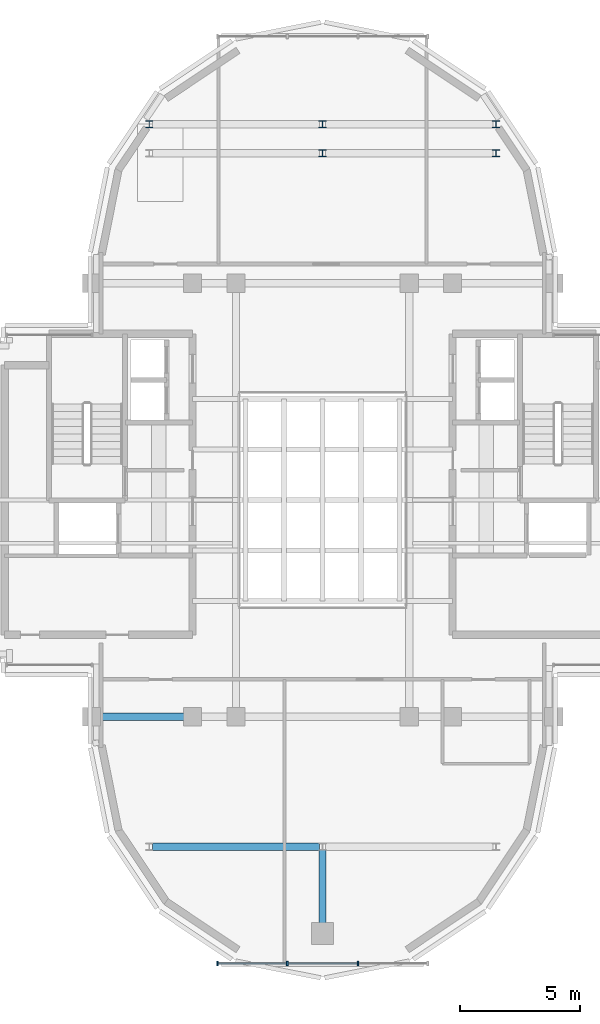
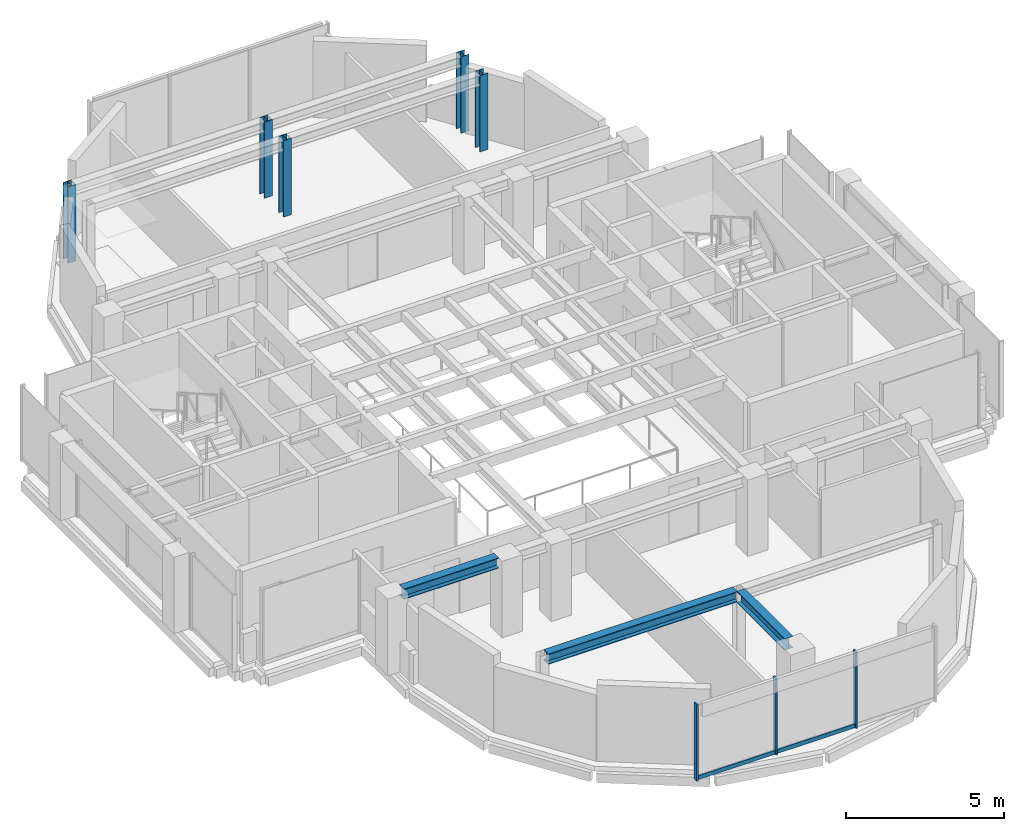
# One storey, part 2 of 11: 5 columns, 5 members, 3 beams, 1 element without a shape of its own.
"""IFC4 building model written with IfcOpenShell, lengths in metres."""

from ifc_helpers import new_model, si_unit, direction, frame, origin, origin_2d, place, context, subcontext, project, spatial, rectangle, i_section, extrude, source, transform, mapped, material, material_profile, profile_set, type_object, element, aggregate, save


model = new_model("IFC4")

# Units and contexts
model_context = context("Model", 3, precision=1e-05, world=origin(), true_north=direction((0.0, 1.0)))
body_context = subcontext(model_context, "Body", "Model", "MODEL_VIEW")
ifc_project = project(units=[si_unit("LENGTHUNIT", "METRE"), si_unit("AREAUNIT", "SQUARE_METRE"), si_unit("VOLUMEUNIT", "CUBIC_METRE"), si_unit("PLANEANGLEUNIT", "RADIAN"), si_unit("MASSUNIT", "GRAM", prefix="KILO")], contexts=[model_context])

# Site, building, storey
site_placement = place(None, origin())
site = spatial("IfcSite", under=ifc_project, at=site_placement, CompositionType="ELEMENT")
building_placement = place(site_placement, origin())
building = spatial("IfcBuilding", under=site, at=building_placement, Name="Keilestroom Media Tower", CompositionType="ELEMENT")
storey_placement = place(building_placement, frame((0.0, 0.0, 268.39990234375)))
storey = spatial("IfcBuildingStorey", under=building, at=storey_placement, Name="L75", CompositionType="ELEMENT", Elevation=268.39990234375)

# Columns
ifc_material_1 = material(Name="Steel S355", Category="steel")
ifc_material_profile_1 = material_profile(ifc_material_1, i_section(OverallWidth=0.300048828125, OverallDepth=0.300048828125, WebThickness=0.010986328125, FlangeThickness=0.01904296875, at=origin_2d()), Name="HEB 300")
ifc_profile_set_1 = profile_set([ifc_material_profile_1], Name="Steel S355")
column_type = type_object("IfcColumnType", Name="Structural-Column-HEB-300", PredefinedType="COLUMN", material=ifc_profile_set_1)
shared_shape_1 = source(origin(), body_context, "Body", "SweptSolid", [
    extrude(i_section(OverallWidth=0.300048828125, OverallDepth=0.300048828125, WebThickness=0.010986328125, FlangeThickness=0.01904296875, at=origin_2d()), origin(), (0.0, 0.0, 1.0), 2.960205078125),
])
for number, where, z_axis, x_axis, name in (
    (1, (-7.199951171875, 15.60009765625, 0.0), (0.0, 0.0, 1.0), (1.0, 0.0, 0.0), "L75 Column SC-5 (-7.2,+15.6)"),
    (2, (0.0, 14.39990234375, 0.0), (0.0, 0.0, 1.0), (1.0, 0.0, 0.0), "L75 Column SC-5 (+0.0,+14.4)"),
    (3, (0.0, 15.60009765625, 0.0), (0.0, 0.0, 1.0), (1.0, 0.0, 0.0), "L75 Column SC-5 (+0.0,+15.6)"),
    (4, (7.199951171875, 14.39990234375, 0.0), (0.0, 0.0, 1.0), (1.0, 0.0, 0.0), "L75 Column SC-5 (+7.2,+14.4)"),
    (5, (7.199951171875, 15.60009765625, 0.0), (0.0, 0.0, 1.0), (1.0, 0.0, 0.0), "L75 Column SC-5 (+7.2,+15.6)"),
):
    element("IfcColumn", number, at=place(storey_placement, frame(where, z_axis=z_axis, x_axis=x_axis)), inside=storey, type_object=column_type, Name=name, PredefinedType="COLUMN", context=body_context, shape_type="MappedRepresentation", body=[
        mapped(shared_shape_1, transform((0.0, 0.0, 0.0), x_axis=(1.0, 0.0, 0.0), y_axis=(0.0, 1.0, 0.0), z_axis=(0.0, 0.0, 1.0), scale=1.0)),
    ])

# Beams
ifc_material_profile_2 = material_profile(ifc_material_1, i_section(OverallWidth=0.300048828125, OverallDepth=0.39990234375, WebThickness=0.011474609375, FlangeThickness=0.02392578125, at=origin_2d()), Name="HEB 400")
ifc_profile_set_2 = profile_set([ifc_material_profile_2], Name="Steel S355")
beam_type_1 = type_object("IfcBeamType", Name="Primary-Structural-Girder-HEB-400", PredefinedType="BEAM", material=ifc_profile_set_2)
shared_shape_2 = source(origin(), body_context, "Body", "SweptSolid", [
    extrude(i_section(OverallWidth=0.300048828125, OverallDepth=0.39990234375, WebThickness=0.011474609375, FlangeThickness=0.02392578125, at=origin_2d()), origin(), (0.0, 0.0, 1.0), 6.940185546875),
])
beam_1_placement = place(storey_placement, frame((-7.070068359375, -14.39990234375, 2.760009765625), z_axis=(1.0, 0.0, 0.0), x_axis=(0.0, 1.0, 0.0)))
element("IfcBeam", 6, at=beam_1_placement, inside=storey, type_object=beam_type_1, Name="L75 Beam BG-8 BM-L75-EW-001", PredefinedType="BEAM", context=body_context, shape_type="MappedRepresentation", body=[
    mapped(shared_shape_2, transform((0.0, 0.0, 0.0), x_axis=(1.0, 0.0, 0.0), y_axis=(0.0, 1.0, 0.0), z_axis=(0.0, 0.0, 1.0), scale=1.0)),
])
shared_shape_3 = source(origin(), body_context, "Body", "SweptSolid", [
    extrude(i_section(OverallWidth=0.300048828125, OverallDepth=0.39990234375, WebThickness=0.011474609375, FlangeThickness=0.02392578125, at=origin_2d()), origin(), (0.0, 0.0, 1.0), 3.490234375),
])
beam_2_placement = place(storey_placement, frame((-9.2451171875, -9.0, 2.760009765625), z_axis=(1.0, 0.0, 0.0), x_axis=(0.0, 1.0, 0.0)))
element("IfcBeam", 7, at=beam_2_placement, inside=storey, type_object=beam_type_1, Name="L75 Beam BG-8 BM-L75-EW-003", PredefinedType="BEAM", context=body_context, shape_type="MappedRepresentation", body=[
    mapped(shared_shape_3, transform((0.0, 0.0, 0.0), x_axis=(1.0, 0.0, 0.0), y_axis=(0.0, 1.0, 0.0), z_axis=(0.0, 0.0, 1.0), scale=1.0)),
])
ifc_material_profile_3 = material_profile(ifc_material_1, i_section(OverallWidth=0.300048828125, OverallDepth=0.43994140625, WebThickness=0.011474609375, FlangeThickness=0.02099609375, at=origin_2d()), Name="HEA 450")
ifc_profile_set_3 = profile_set([ifc_material_profile_3], Name="Steel S355")
beam_type_2 = type_object("IfcBeamType", Name="Primary-Structural-Girder-HEA-450", PredefinedType="BEAM", material=ifc_profile_set_3)
shared_shape_4 = source(origin(), body_context, "Body", "SweptSolid", [
    extrude(i_section(OverallWidth=0.300048828125, OverallDepth=0.43994140625, WebThickness=0.011474609375, FlangeThickness=0.02099609375, at=origin_2d()), origin(), (0.0, 0.0, 1.0), 3.0400390625),
])
beam_3_placement = place(storey_placement, frame((0.0, -17.570068359375, 2.739990234375), z_axis=(0.0, 1.0, 0.0), x_axis=(-1.0, 0.0, 0.0)))
element("IfcBeam", 8, at=beam_3_placement, inside=storey, type_object=beam_type_2, Name="L75 Beam BG-11 BM-L75-NS-022", PredefinedType="BEAM", context=body_context, shape_type="MappedRepresentation", body=[
    mapped(shared_shape_4, transform((0.0, 0.0, 0.0), x_axis=(1.0, 0.0, 0.0), y_axis=(0.0, 1.0, 0.0), z_axis=(0.0, 0.0, 1.0), scale=1.0)),
])

# Curtain wall, members
ifc_material_2 = material(Name="Anodised Aluminium Alloy", Category="aluminium")
curtain_wall_type = type_object("IfcCurtainWallType", Name="Unitised-Curtain-Wall-CW-6", PredefinedType="NOTDEFINED", material=ifc_material_2)
curtain_wall_placement = place(storey_placement, origin())
curtain_wall = element("IfcCurtainWall", 9, at=curtain_wall_placement, inside=storey, type_object=curtain_wall_type, Name="L75 Curtain Wall CW-6 CW-L75-LS-1", PredefinedType="NOTDEFINED")
ifc_material_profile_4 = material_profile(ifc_material_2, rectangle(XDim=0.06494140625, YDim=0.14990234375, at=origin_2d()), Name="ALU TRANSOM 65x150")
ifc_profile_set_4 = profile_set([ifc_material_profile_4], Name="Anodised Aluminium Alloy")
member_type_1 = type_object("IfcMemberType", Name="Curtain-Wall-Transom-CW-6", PredefinedType="USERDEFINED", material=ifc_profile_set_4)
shared_shape_5 = source(origin(), body_context, "Body", "SweptSolid", [
    extrude(rectangle(XDim=0.06494140625, YDim=0.14990234375, at=origin_2d()), origin(), (0.0, 0.0, 1.0), 2.839599609375),
])
member_1_placement = place(storey_placement, frame((-4.3369140625, -19.25, 0.0751953125), z_axis=(1.0, 0.0, 0.0), x_axis=(0.0, 1.0, 0.0)))
member_1 = element("IfcMember", 10, at=member_1_placement, type_object=member_type_1, Name="CW-6 Transom 00.1", ObjectType="TRANSOM", PredefinedType="USERDEFINED", context=body_context, shape_type="MappedRepresentation", body=[
    mapped(shared_shape_5, transform((0.0, 0.0, 0.0), x_axis=(1.0, 0.0, 0.0), y_axis=(0.0, 1.0, 0.0), z_axis=(0.0, 0.0, 1.0), scale=1.0)),
])
shared_shape_6 = source(origin(), body_context, "Body", "SweptSolid", [
    extrude(rectangle(XDim=0.06494140625, YDim=0.14990234375, at=origin_2d()), origin(), (0.0, 0.0, 1.0), 2.87255859375),
])
member_2_placement = place(storey_placement, frame((-1.436279296875, -19.25, 0.0751953125), z_axis=(1.0, 0.0, 0.0), x_axis=(0.0, 1.0, 0.0)))
member_2 = element("IfcMember", 11, at=member_2_placement, type_object=member_type_1, Name="CW-6 Transom 01.1", ObjectType="TRANSOM", PredefinedType="USERDEFINED", context=body_context, shape_type="MappedRepresentation", body=[
    mapped(shared_shape_6, transform((0.0, 0.0, 0.0), x_axis=(1.0, 0.0, 0.0), y_axis=(0.0, 1.0, 0.0), z_axis=(0.0, 0.0, 1.0), scale=1.0)),
])
ifc_material_profile_5 = material_profile(ifc_material_2, rectangle(XDim=0.06494140625, YDim=0.179931640625, at=origin_2d()), Name="ALU MULLION 65x180")
ifc_profile_set_5 = profile_set([ifc_material_profile_5], Name="Anodised Aluminium Alloy")
member_type_2 = type_object("IfcMemberType", Name="Curtain-Wall-Mullion-CW-6", PredefinedType="MULLION", material=ifc_profile_set_5)
shared_shape_7 = source(origin(), body_context, "Body", "SweptSolid", [
    extrude(rectangle(XDim=0.06494140625, YDim=0.179931640625, at=origin_2d()), origin(), (0.0, 0.0, 1.0), 2.960205078125),
])
member_3_placement = place(storey_placement, frame((-4.367431640625, -19.25, 0.0), z_axis=(0.0, 0.0, 1.0), x_axis=(1.0, 0.0, 0.0)))
member_3 = element("IfcMember", 12, at=member_3_placement, type_object=member_type_2, Name="CW-6 Mullion 00", PredefinedType="MULLION", context=body_context, shape_type="MappedRepresentation", body=[
    mapped(shared_shape_7, transform((0.0, 0.0, 0.0), x_axis=(1.0, 0.0, 0.0), y_axis=(0.0, 1.0, 0.0), z_axis=(0.0, 0.0, 1.0), scale=1.0)),
])
member_4_placement = place(storey_placement, frame((-1.466796875, -19.25, 0.0), z_axis=(0.0, 0.0, 1.0), x_axis=(1.0, 0.0, 0.0)))
member_4 = element("IfcMember", 13, at=member_4_placement, type_object=member_type_2, Name="CW-6 Mullion 01", PredefinedType="MULLION", context=body_context, shape_type="MappedRepresentation", body=[
    mapped(shared_shape_7, transform((0.0, 0.0, 0.0), x_axis=(1.0, 0.0, 0.0), y_axis=(0.0, 1.0, 0.0), z_axis=(0.0, 0.0, 1.0), scale=1.0)),
])
member_5_placement = place(storey_placement, frame((1.466796875, -19.25, 0.0), z_axis=(0.0, 0.0, 1.0), x_axis=(1.0, 0.0, 0.0)))
member_5 = element("IfcMember", 14, at=member_5_placement, type_object=member_type_2, Name="CW-6 Mullion 02", PredefinedType="MULLION", context=body_context, shape_type="MappedRepresentation", body=[
    mapped(shared_shape_7, transform((0.0, 0.0, 0.0), x_axis=(1.0, 0.0, 0.0), y_axis=(0.0, 1.0, 0.0), z_axis=(0.0, 0.0, 1.0), scale=1.0)),
])
aggregate(curtain_wall, [member_3, member_4, member_5, member_1, member_2])

save(model, "model.ifc")
